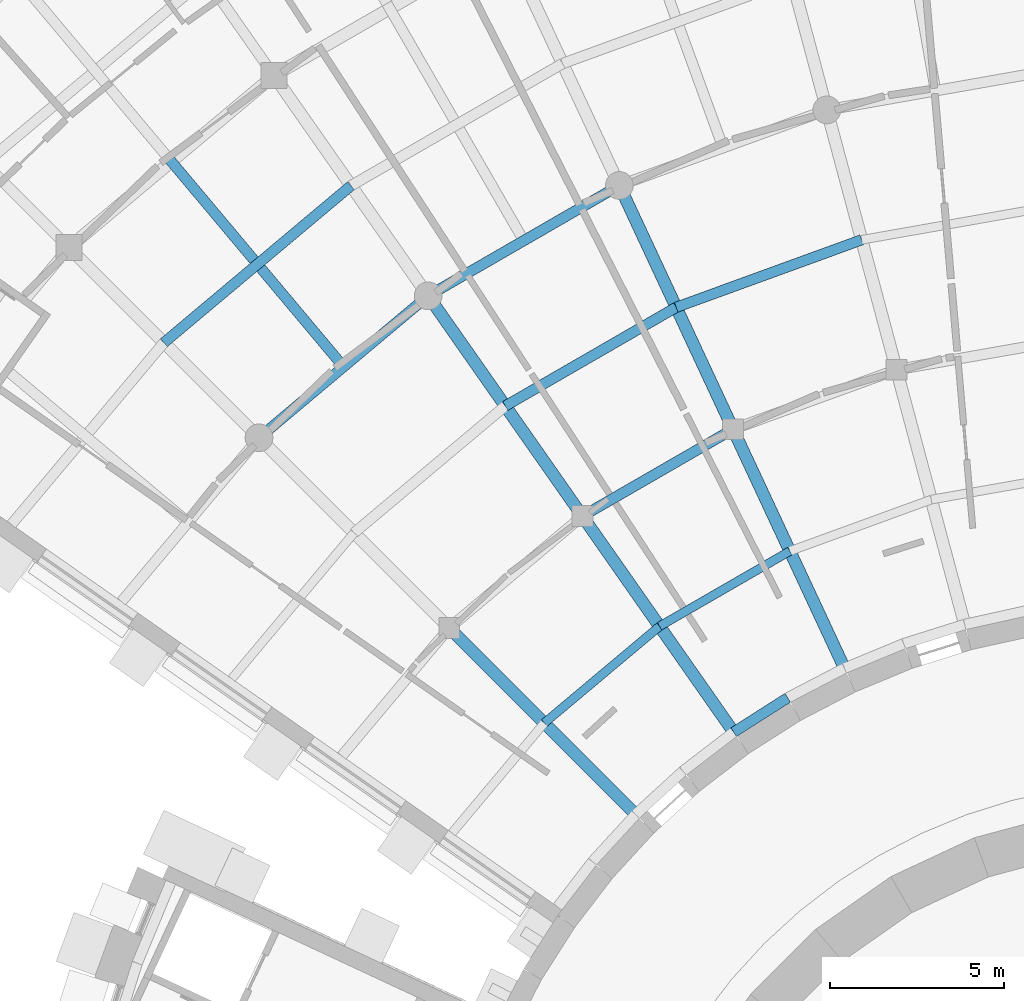
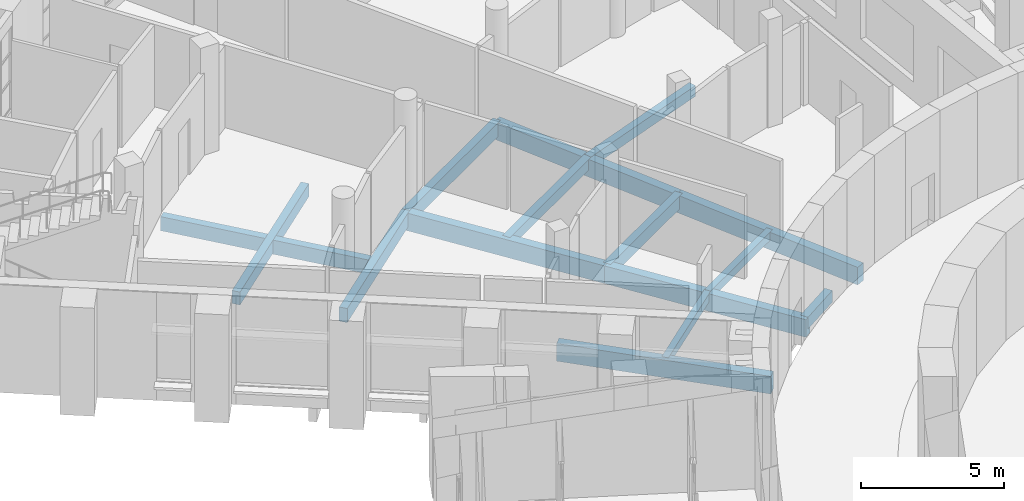
# One storey, part 23 of 85: 15 beams.
"""IFC4 building model written with IfcOpenShell, lengths in metres."""

from ifc_helpers import new_model, si_unit, direction, frame, origin, origin_2d, place, context, subcontext, project, spatial, rectangle, extrude, material, material_profile, profile_set, type_object, element, save


model = new_model("IFC4")

# Units and contexts
model_context = context("Model", 3, precision=1e-05, world=origin(), true_north=direction((0.0, 1.0)))
body_context = subcontext(model_context, "Body", "Model", "MODEL_VIEW")
ifc_project = project(units=[si_unit("LENGTHUNIT", "METRE"), si_unit("AREAUNIT", "SQUARE_METRE"), si_unit("VOLUMEUNIT", "CUBIC_METRE"), si_unit("PLANEANGLEUNIT", "RADIAN"), si_unit("MASSUNIT", "GRAM", prefix="KILO")], contexts=[model_context])

# Site, building, storey
site_placement = place(None, origin())
site = spatial("IfcSite", under=ifc_project, at=site_placement, CompositionType="ELEMENT")
building_placement = place(site_placement, origin())
building = spatial("IfcBuilding", under=site, at=building_placement, Name="Volute Hill Aquarium", CompositionType="ELEMENT")
storey_placement = place(building_placement, origin())
storey = spatial("IfcBuildingStorey", under=building, at=storey_placement, Name="L01", CompositionType="ELEMENT", Elevation=0.0)

# Beams
ifc_material_1 = material(Name="Concrete C35/45", Category="concrete")
ifc_material_profile_1 = material_profile(ifc_material_1, rectangle(XDim=0.300048828125, YDim=0.550048828125, at=origin_2d()), Name="RC beam 300x550")
ifc_profile_set_1 = profile_set([ifc_material_profile_1], Name="Concrete C35/45")
beam_type_1 = type_object("IfcBeamType", Name="Beam 300x550 C35/45", PredefinedType="BEAM", material=ifc_profile_set_1)
beam_1_placement = place(storey_placement, frame((-12.150390625, 26.056396484375, -0.594970703125), z_axis=(-0.866003851672, -0.500037327496, 0.0), x_axis=(0.500037327496, -0.866003851672, 0.0)))
element("IfcBeam", 1, at=beam_1_placement, inside=storey, type_object=beam_type_1, Name="bm/S6/L01/ring1.19", PredefinedType="BEAM", context=body_context, shape_type="SweptSolid", body=[
    extrude(rectangle(XDim=0.300048828125, YDim=0.550048828125, at=origin_2d()), origin(), (0.0, 0.0, 1.0), 5.01123046875),
])
ifc_material_2 = material(Name="Concrete C35/45", Category="concrete")
ifc_material_profile_2 = material_profile(ifc_material_2, rectangle(XDim=0.300048828125, YDim=0.60009765625, at=origin_2d()), Name="RC beam 300x600")
ifc_profile_set_2 = profile_set([ifc_material_profile_2], Name="Concrete C35/45")
beam_type_2 = type_object("IfcBeamType", Name="Beam 300x600 C35/45", PredefinedType="BEAM", material=ifc_profile_set_2)
for number, where, z_axis, x_axis, name in (
    (2, (-15.425537109375, 33.080078125, -0.6201171875), (-0.866029029746, -0.499993719597, 0.0), (0.499993719597, -0.866029029746, 0.0), "bm/S6/L01/ring2.24"),
    (3, (-20.935546875, 29.89892578125, -0.6201171875), (-0.766043421596, -0.642788827088, 0.0), (0.642788827088, -0.766043421596, 0.0), "bm/S6/L01/ring2.25"),
):
    element("IfcBeam", number, at=place(storey_placement, frame(where, z_axis=z_axis, x_axis=x_axis)), inside=storey, type_object=beam_type_2, Name=name, PredefinedType="BEAM", context=body_context, shape_type="SweptSolid", body=[
        extrude(rectangle(XDim=0.300048828125, YDim=0.60009765625, at=origin_2d()), origin(), (0.0, 0.0, 1.0), 6.3623046875),
    ])
ifc_material_3 = material(Name="Concrete C35/45", Category="concrete")
ifc_material_profile_3 = material_profile(ifc_material_3, rectangle(XDim=0.35009765625, YDim=0.75, at=origin_2d()), Name="RC beam 350x750")
ifc_profile_set_3 = profile_set([ifc_material_profile_3], Name="Concrete C35/45")
beam_type_3 = type_object("IfcBeamType", Name="Beam 350x750 C35/45", PredefinedType="BEAM", material=ifc_profile_set_3)
beam_2_placement = place(storey_placement, frame((-8.875, 19.032470703125, -0.695068359375), z_axis=(-0.422626766283, 0.906303821255, 0.0), x_axis=(-0.906303821255, -0.422626766283, 0.0)))
element("IfcBeam", 4, at=beam_2_placement, inside=storey, type_object=beam_type_3, Name="bm/S6/L01/rad2.5", PredefinedType="BEAM", context=body_context, shape_type="SweptSolid", body=[
    extrude(rectangle(XDim=0.35009765625, YDim=0.75, at=origin_2d()), origin(), (0.0, 0.0, 1.0), 7.75),
])
beam_3_placement = place(storey_placement, frame((-12.150390625, 26.056396484375, -0.695068359375), z_axis=(-0.422612956623, 0.906310260835, 0.0), x_axis=(-0.906310260835, -0.422612956623, 0.0)))
element("IfcBeam", 5, at=beam_3_placement, inside=storey, type_object=beam_type_3, Name="bm/S6/L01/rad2.6", PredefinedType="BEAM", context=body_context, shape_type="SweptSolid", body=[
    extrude(rectangle(XDim=0.35009765625, YDim=0.75, at=origin_2d()), origin(), (0.0, 0.0, 1.0), 7.749755859375),
])
for number, where, z_axis, x_axis, name in (
    (6, (-12.045166015625, 17.2021484375, -0.695068359375), (-0.573565938589, 0.819159394801, 0.0), (-0.819159394801, -0.573565938589, 0.0), "bm/S6/L01/rad3.9"),
    (7, (-16.490234375, 23.550537109375, -0.695068359375), (-0.573587076888, 0.819144593602, 0.0), (-0.819144593602, -0.573587076888, 0.0), "bm/S6/L01/rad3.10"),
):
    element("IfcBeam", number, at=place(storey_placement, frame(where, z_axis=z_axis, x_axis=x_axis)), inside=storey, type_object=beam_type_3, Name=name, PredefinedType="BEAM", context=body_context, shape_type="SweptSolid", body=[
        extrude(rectangle(XDim=0.35009765625, YDim=0.75, at=origin_2d()), origin(), (0.0, 0.0, 1.0), 7.75),
    ])
beam_4_placement = place(storey_placement, frame((-14.84912109375, 14.84912109375, -0.695068359375), z_axis=(-0.707106781187, 0.707106781187, 0.0), x_axis=(-0.707106781187, -0.707106781187, 0.0)))
element("IfcBeam", 8, at=beam_4_placement, inside=storey, type_object=beam_type_3, Name="bm/S6/L01/rad4.13", PredefinedType="BEAM", context=body_context, shape_type="SweptSolid", body=[
    extrude(rectangle(XDim=0.35009765625, YDim=0.75, at=origin_2d()), origin(), (0.0, 0.0, 1.0), 7.750244140625),
])
ifc_material_4 = material(Name="Concrete C35/45", Category="concrete")
ifc_material_profile_4 = material_profile(ifc_material_4, rectangle(XDim=0.300048828125, YDim=0.5, at=origin_2d()), Name="RC edge beam 300x500")
ifc_profile_set_4 = profile_set([ifc_material_profile_4], Name="Concrete C35/45")
beam_type_4 = type_object("IfcBeamType", Name="Edge beam 300x500 C35/45", PredefinedType="BEAM", material=ifc_profile_set_4)
beam_5_placement = place(storey_placement, frame((-10.5751953125, 18.316650390625, -0.570068359375), z_axis=(-0.843334400185, -0.537389141558, 0.0), x_axis=(0.537389141558, -0.843334400185, 0.0)))
element("IfcBeam", 9, at=beam_5_placement, inside=storey, type_object=beam_type_4, Name="bm/S6/L01/edgeD.37", PredefinedType="BEAM", context=body_context, shape_type="SweptSolid", body=[
    extrude(rectangle(XDim=0.300048828125, YDim=0.5, at=origin_2d()), origin(), (0.0, 0.0, 1.0), 1.844970703125),
])
ifc_material_5 = material(Name="Concrete C35/45", Category="concrete")
ifc_material_profile_5 = material_profile(ifc_material_5, rectangle(XDim=0.25, YDim=0.35009765625, at=origin_2d()), Name="RC joist 250x350")
ifc_profile_set_5 = profile_set([ifc_material_profile_5], Name="Concrete C35/45")
beam_type_5 = type_object("IfcBeamType", Name="Joist 250x350 C35/45", PredefinedType="BEAM", material=ifc_profile_set_5)
beam_6_placement = place(storey_placement, frame((-10.5126953125, 22.54443359375, -0.4951171875), z_axis=(-0.866016800201, -0.500014901547, 0.0), x_axis=(0.500014901547, -0.866016800201, 0.0)))
element("IfcBeam", 10, at=beam_6_placement, inside=storey, type_object=beam_type_5, Name="bm/S6/L01/jst3", PredefinedType="BEAM", context=body_context, shape_type="SweptSolid", body=[
    extrude(rectangle(XDim=0.25, YDim=0.35009765625, at=origin_2d()), origin(), (0.0, 0.0, 1.0), 4.335693359375),
])
beam_7_placement = place(storey_placement, frame((-14.267578125, 20.37646484375, -0.4951171875), z_axis=(-0.766066333115, -0.642761521303, 0.0), x_axis=(0.642761521303, -0.766066333115, 0.0)))
element("IfcBeam", 11, at=beam_7_placement, inside=storey, type_object=beam_type_5, Name="bm/S6/L01/jst4", PredefinedType="BEAM", context=body_context, shape_type="SweptSolid", body=[
    extrude(rectangle(XDim=0.25, YDim=0.35009765625, at=origin_2d()), origin(), (0.0, 0.0, 1.0), 4.336181640625),
])
ifc_material_6 = material(Name="Concrete C35/45", Category="concrete")
ifc_material_profile_6 = material_profile(ifc_material_6, rectangle(XDim=0.300048828125, YDim=0.449951171875, at=origin_2d()), Name="RC joist 300x450")
ifc_profile_set_6 = profile_set([ifc_material_profile_6], Name="Concrete C35/45")
beam_type_6 = type_object("IfcBeamType", Name="Joist 300x450 C35/45", PredefinedType="BEAM", material=ifc_profile_set_6)
beam_8_placement = place(storey_placement, frame((-8.444091796875, 31.51318359375, -0.544921875), z_axis=(-0.939700630185, -0.341998136881, 0.0), x_axis=(0.341998136881, -0.939700630185, 0.0)))
element("IfcBeam", 12, at=beam_8_placement, inside=storey, type_object=beam_type_6, Name="bm/S6/L01/jst7", PredefinedType="BEAM", context=body_context, shape_type="SweptSolid", body=[
    extrude(rectangle(XDim=0.300048828125, YDim=0.449951171875, at=origin_2d()), origin(), (0.0, 0.0, 1.0), 5.686767578125),
])
beam_9_placement = place(storey_placement, frame((-13.787841796875, 29.568359375, -0.544921875), z_axis=(-0.866023302837, -0.50000363893, 0.0), x_axis=(0.50000363893, -0.866023302837, 0.0)))
element("IfcBeam", 13, at=beam_9_placement, inside=storey, type_object=beam_type_6, Name="bm/S6/L01/jst8", PredefinedType="BEAM", context=body_context, shape_type="SweptSolid", body=[
    extrude(rectangle(XDim=0.300048828125, YDim=0.449951171875, at=origin_2d()), origin(), (0.0, 0.0, 1.0), 5.68701171875),
])
ifc_material_7 = material(Name="Concrete C35/45", Category="concrete")
ifc_material_profile_7 = material_profile(ifc_material_7, rectangle(XDim=0.300048828125, YDim=0.550048828125, at=origin_2d()), Name="RC joist 300x550")
ifc_profile_set_7 = profile_set([ifc_material_profile_7], Name="Concrete C35/45")
beam_type_7 = type_object("IfcBeamType", Name="Joist 300x550 C35/45", PredefinedType="BEAM", material=ifc_profile_set_7)
beam_10_placement = place(storey_placement, frame((-23.158203125, 33.0732421875, -0.594970703125), z_axis=(-0.766027328083, -0.64280800604, 0.0), x_axis=(0.64280800604, -0.766027328083, 0.0)))
element("IfcBeam", 14, at=beam_10_placement, inside=storey, type_object=beam_type_7, Name="bm/S6/L01/jst14", PredefinedType="BEAM", context=body_context, shape_type="SweptSolid", body=[
    extrude(rectangle(XDim=0.300048828125, YDim=0.550048828125, at=origin_2d()), origin(), (0.0, 0.0, 1.0), 7.037841796875),
])
ifc_material_8 = material(Name="Concrete C35/45", Category="concrete")
ifc_material_profile_8 = material_profile(ifc_material_8, rectangle(XDim=0.300048828125, YDim=0.60009765625, at=origin_2d()), Name="RC joist 300x600")
ifc_profile_set_8 = profile_set([ifc_material_profile_8], Name="Concrete C35/45")
beam_type_8 = type_object("IfcBeamType", Name="Joist 300x600 C35/45", PredefinedType="BEAM", material=ifc_profile_set_8)
beam_11_placement = place(storey_placement, frame((-23.461669921875, 27.960693359375, -0.6201171875), z_axis=(-0.642798965079, 0.76603491467, 0.0), x_axis=(-0.76603491467, -0.642798965079, 0.0)))
element("IfcBeam", 15, at=beam_11_placement, inside=storey, type_object=beam_type_8, Name="bm/S6/L01/rjst4", PredefinedType="BEAM", context=body_context, shape_type="SweptSolid", body=[
    extrude(rectangle(XDim=0.300048828125, YDim=0.60009765625, at=origin_2d()), origin(), (0.0, 0.0, 1.0), 7.75),
])

save(model, "model.ifc")
